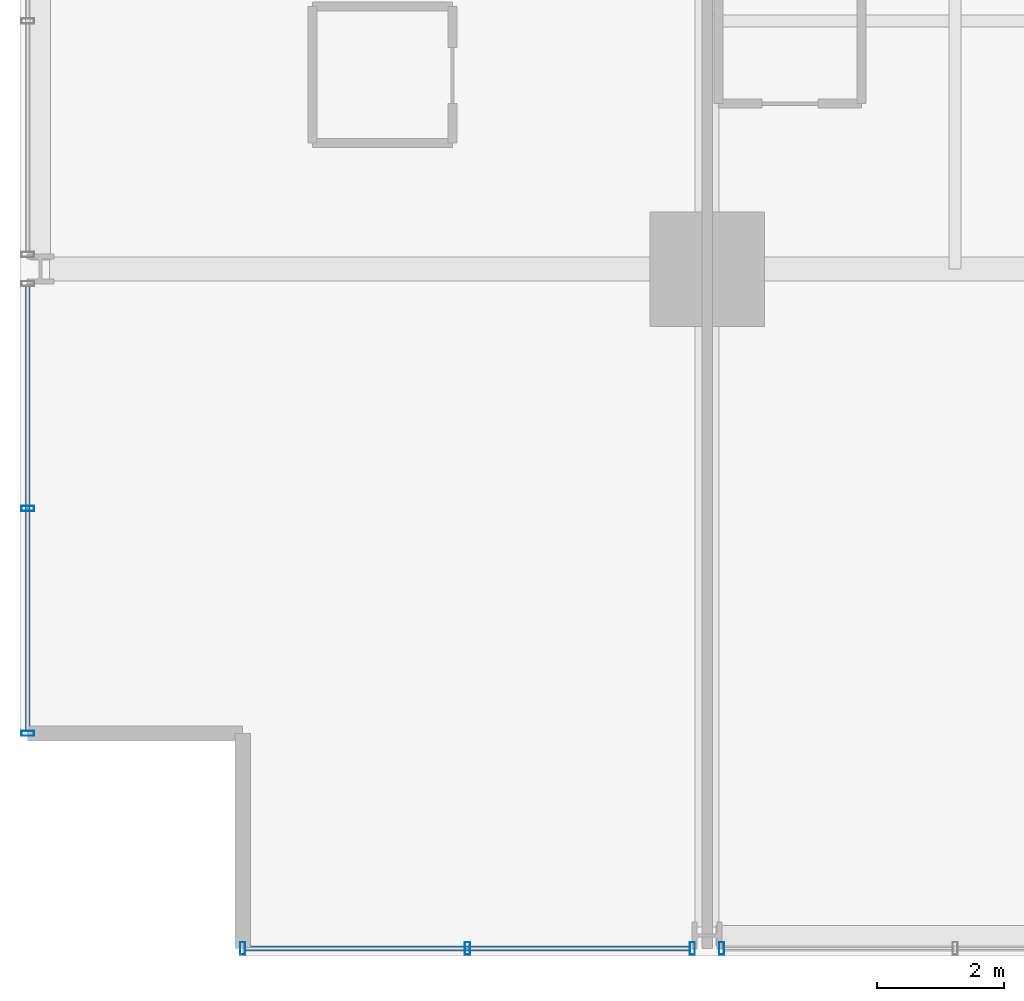
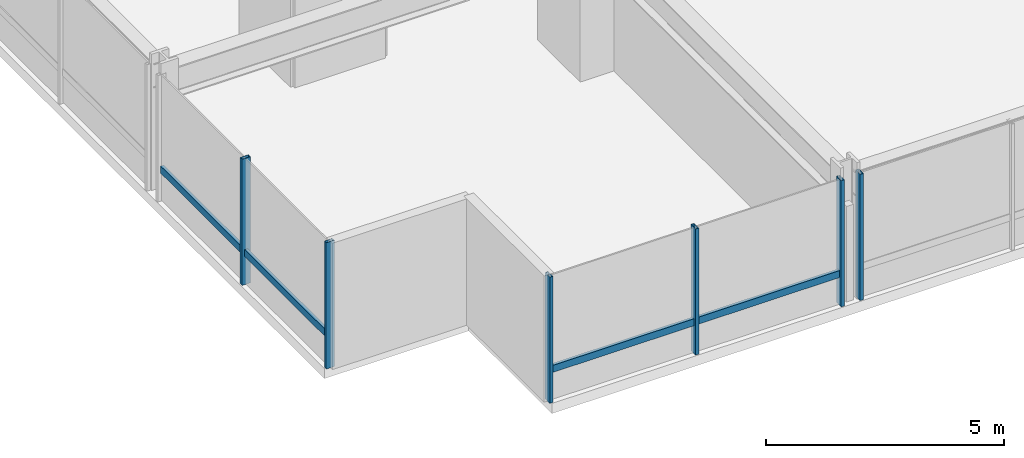
# One storey, part 2 of 38: 8 members, 3 elements without a shape of their own.
"""IFC4 building model written with IfcOpenShell, lengths in metres."""

from ifc_helpers import new_model, si_unit, direction, frame, origin, origin_2d, place, context, subcontext, project, spatial, hollow_rectangle, extrude, material, layer, layer_set, material_profile, profile_set, type_object, element, aggregate, save


model = new_model("IFC4")

# Units and contexts
model_context = context("Model", 3, precision=1e-05, world=origin(), true_north=direction((0.0, 1.0)))
body_context = subcontext(model_context, "Body", "Model", "MODEL_VIEW")
ifc_project = project(units=[si_unit("LENGTHUNIT", "METRE"), si_unit("AREAUNIT", "SQUARE_METRE"), si_unit("VOLUMEUNIT", "CUBIC_METRE"), si_unit("PLANEANGLEUNIT", "RADIAN"), si_unit("MASSUNIT", "GRAM", prefix="KILO")], contexts=[model_context])

# Site, building, storey
site_placement = place(None, origin())
site = spatial("IfcSite", under=ifc_project, at=site_placement, CompositionType="ELEMENT")
building_placement = place(site_placement, origin())
building = spatial("IfcBuilding", under=site, at=building_placement, Name="Drelvath Grand Hotel", CompositionType="ELEMENT")
storey_placement = place(building_placement, frame((0.0, 0.0, 64.699951171875)))
storey = spatial("IfcBuildingStorey", under=building, at=storey_placement, Name="L15", CompositionType="ELEMENT", Elevation=64.699951171875)

# Curtain wall, member
ifc_material = material(Name="Warm Bronze Anodised Aluminium Frame", Category="aluminium")
ifc_layer = layer(ifc_material, 0.199951171875)
ifc_layer_set = layer_set([ifc_layer], Name="Warm Bronze Anodised Aluminium Frame")
curtain_wall_type = type_object("IfcCurtainWallType", Name="Stick Curtain Wall CW-02 Warm Bronze Low-Rise", PredefinedType="NOTDEFINED", material=ifc_layer_set)
curtain_wall_1_placement = place(storey_placement, origin())
curtain_wall_1 = element("IfcCurtainWall", 1, at=curtain_wall_1_placement, inside=storey, type_object=curtain_wall_type, Name="L15 CW-02 Curtain Wall CW02-L15-WS1", PredefinedType="NOTDEFINED")
ifc_material_profile_1 = material_profile(ifc_material, hollow_rectangle(XDim=0.074951171875, YDim=0.179931640625, WallThickness=0.0048828125, at=origin_2d()), Name="HSS180X75X5")
ifc_profile_set_1 = profile_set([ifc_material_profile_1], Name="Warm Bronze Anodised Aluminium Frame")
member_type_1 = type_object("IfcMemberType", Name="Curtain Wall Horizontal Transom CW-02 HSS180X75X5", PredefinedType="USERDEFINED", material=ifc_profile_set_1)
member_1_placement = place(storey_placement, frame((-26.8798828125, 3.5400390625, 0.81005859375), z_axis=(0.0, 1.0, 0.0), x_axis=(-1.0, 0.0, 0.0)))
member_1 = element("IfcMember", 2, at=member_1_placement, type_object=member_type_1, Name="CW02-L15-WS1 Sill Transom", ObjectType="TRANSOM", PredefinedType="USERDEFINED", context=body_context, shape_type="SweptSolid", body=[
    extrude(hollow_rectangle(XDim=0.074951171875, YDim=0.179931640625, WallThickness=0.0048828125, at=origin_2d()), origin(), (0.0, 0.0, 1.0), 6.990966796875),
])

curtain_wall_2_placement = place(storey_placement, origin())
curtain_wall_2 = element("IfcCurtainWall", 3, at=curtain_wall_2_placement, inside=storey, type_object=curtain_wall_type, Name="L15 CW-02 Curtain Wall CW02-L15-SW1", PredefinedType="NOTDEFINED")
member_2_placement = place(storey_placement, frame((-16.468994140625, 0.1201171875, 0.81005859375), z_axis=(-1.0, 0.0, 0.0), x_axis=(0.0, -1.0, 0.0)))
member_2 = element("IfcMember", 4, at=member_2_placement, type_object=member_type_1, Name="CW02-L15-SW1 Sill Transom", ObjectType="TRANSOM", PredefinedType="USERDEFINED", context=body_context, shape_type="SweptSolid", body=[
    extrude(hollow_rectangle(XDim=0.074951171875, YDim=0.179931640625, WallThickness=0.0048828125, at=origin_2d()), origin(), (0.0, 0.0, 1.0), 6.990966796875),
])

# Member
ifc_material_profile_2 = material_profile(ifc_material, hollow_rectangle(XDim=0.080078125, YDim=0.199951171875, WallThickness=0.0048828125, at=origin_2d()), Name="HSS200X80X5")
ifc_profile_set_2 = profile_set([ifc_material_profile_2], Name="Warm Bronze Anodised Aluminium Frame")
member_type_2 = type_object("IfcMemberType", Name="Curtain Wall Vertical Mullion CW-02 HSS200X80X5", PredefinedType="MULLION", material=ifc_profile_set_2)
member_3_placement = place(storey_placement, frame((-26.8798828125, 3.5, 0.0), z_axis=(0.0, 0.0, 1.0), x_axis=(0.0, 1.0, 0.0)))
member_3 = element("IfcMember", 5, at=member_3_placement, type_object=member_type_2, Name="CW02-L15-WS1 Mullion 1", PredefinedType="MULLION", context=body_context, shape_type="SweptSolid", body=[
    extrude(hollow_rectangle(XDim=0.080078125, YDim=0.199951171875, WallThickness=0.0048828125, at=origin_2d()), origin(), (0.0, 0.0, 1.0), 3.239990234375),
])

member_4_placement = place(storey_placement, frame((-26.8798828125, 7.035400390625, 0.0), z_axis=(0.0, 0.0, 1.0), x_axis=(0.0, 1.0, 0.0)))
member_4 = element("IfcMember", 6, at=member_4_placement, type_object=member_type_2, Name="CW02-L15-WS1 Mullion 2", PredefinedType="MULLION", context=body_context, shape_type="SweptSolid", body=[
    extrude(hollow_rectangle(XDim=0.080078125, YDim=0.199951171875, WallThickness=0.0048828125, at=origin_2d()), origin(), (0.0, 0.0, 1.0), 3.239990234375),
])

aggregate(curtain_wall_1, [member_3, member_4, member_1])

member_5_placement = place(storey_placement, frame((-16.42919921875, 0.1201171875, 0.0), z_axis=(0.0, 0.0, 1.0), x_axis=(1.0, 0.0, 0.0)))
member_5 = element("IfcMember", 7, at=member_5_placement, type_object=member_type_2, Name="CW02-L15-SW1 Mullion 1", PredefinedType="MULLION", context=body_context, shape_type="SweptSolid", body=[
    extrude(hollow_rectangle(XDim=0.080078125, YDim=0.199951171875, WallThickness=0.0048828125, at=origin_2d()), origin(), (0.0, 0.0, 1.0), 3.239990234375),
])

member_6_placement = place(storey_placement, frame((-19.964599609375, 0.1201171875, 0.0), z_axis=(0.0, 0.0, 1.0), x_axis=(1.0, 0.0, 0.0)))
member_6 = element("IfcMember", 8, at=member_6_placement, type_object=member_type_2, Name="CW02-L15-SW1 Mullion 2", PredefinedType="MULLION", context=body_context, shape_type="SweptSolid", body=[
    extrude(hollow_rectangle(XDim=0.080078125, YDim=0.199951171875, WallThickness=0.0048828125, at=origin_2d()), origin(), (0.0, 0.0, 1.0), 3.239990234375),
])

member_7_placement = place(storey_placement, frame((-23.5, 0.1201171875, 0.0), z_axis=(0.0, 0.0, 1.0), x_axis=(1.0, 0.0, 0.0)))
member_7 = element("IfcMember", 9, at=member_7_placement, type_object=member_type_2, Name="CW02-L15-SW1 Mullion 3", PredefinedType="MULLION", context=body_context, shape_type="SweptSolid", body=[
    extrude(hollow_rectangle(XDim=0.080078125, YDim=0.199951171875, WallThickness=0.0048828125, at=origin_2d()), origin(), (0.0, 0.0, 1.0), 3.239990234375),
])

aggregate(curtain_wall_2, [member_5, member_6, member_7, member_2])

# Curtain wall, member
curtain_wall_3_placement = place(storey_placement, origin())
curtain_wall_3 = element("IfcCurtainWall", 10, at=curtain_wall_3_placement, inside=storey, type_object=curtain_wall_type, Name="L15 CW-02 Curtain Wall CW02-L15-SW2", PredefinedType="NOTDEFINED")
member_8_placement = place(storey_placement, frame((-15.970947265625, 0.1201171875, 0.0), z_axis=(0.0, 0.0, 1.0), x_axis=(1.0, 0.0, 0.0)))
member_8 = element("IfcMember", 11, at=member_8_placement, type_object=member_type_2, Name="CW02-L15-SW2 Mullion 3", PredefinedType="MULLION", context=body_context, shape_type="SweptSolid", body=[
    extrude(hollow_rectangle(XDim=0.080078125, YDim=0.199951171875, WallThickness=0.0048828125, at=origin_2d()), origin(), (0.0, 0.0, 1.0), 3.239990234375),
])
aggregate(curtain_wall_3, [member_8])

save(model, "model.ifc")
